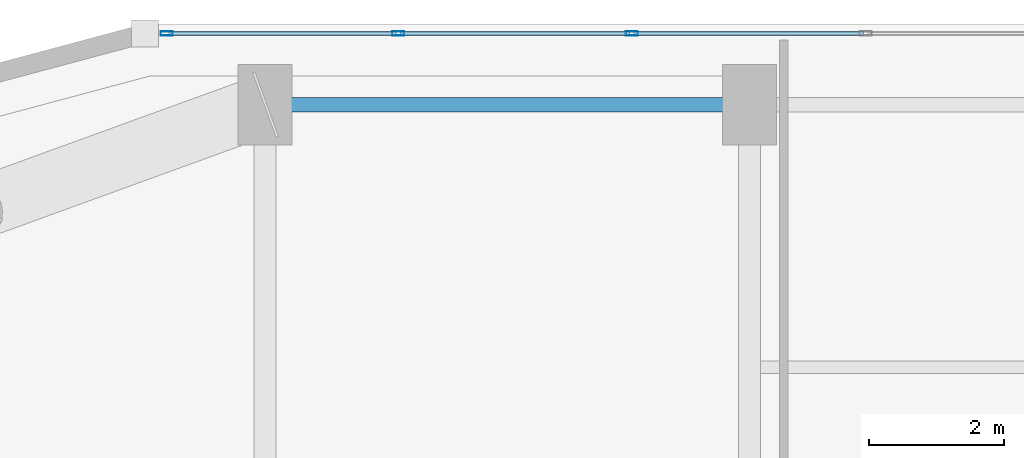
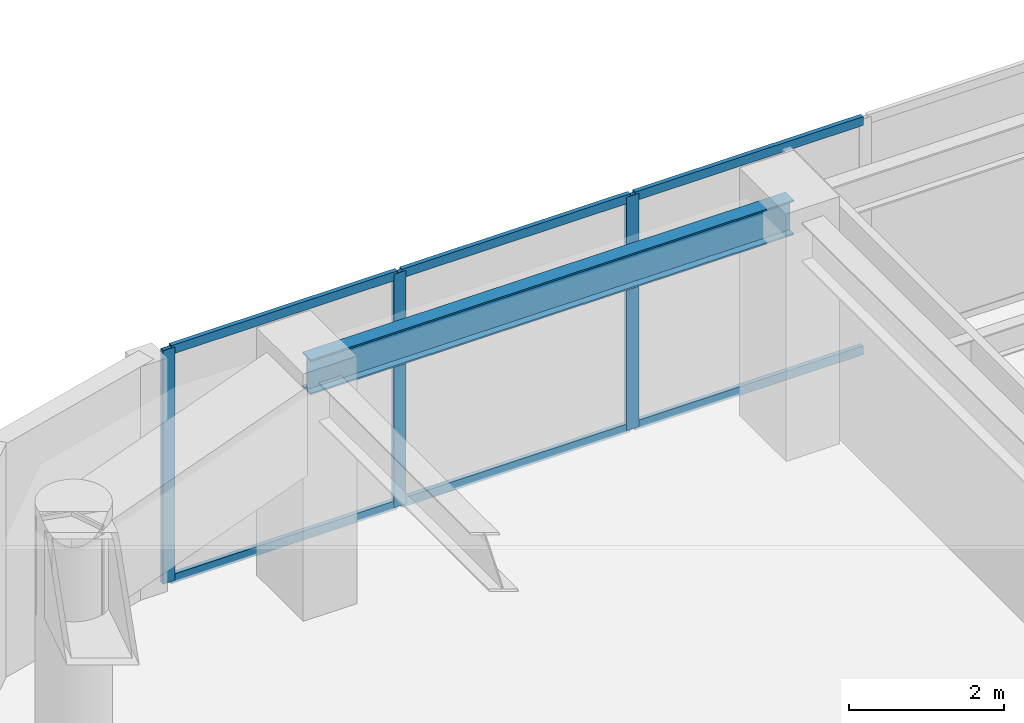
# One storey, part 17 of 30: 9 members, 1 beam, 1 element without a shape of its own.
"""IFC4 building model written with IfcOpenShell, lengths in metres."""

from ifc_helpers import new_model, si_unit, direction, frame, origin, origin_2d, place, context, subcontext, project, spatial, hollow_rectangle, i_section, extrude, material, layer, layer_set, material_profile, profile_set, type_object, element, aggregate, save


model = new_model("IFC4")

# Units and contexts
model_context = context("Model", 3, precision=1e-05, world=origin(), true_north=direction((0.0, 1.0)))
body_context = subcontext(model_context, "Body", "Model", "MODEL_VIEW")
ifc_project = project(units=[si_unit("LENGTHUNIT", "METRE"), si_unit("AREAUNIT", "SQUARE_METRE"), si_unit("VOLUMEUNIT", "CUBIC_METRE"), si_unit("PLANEANGLEUNIT", "RADIAN"), si_unit("MASSUNIT", "GRAM", prefix="KILO")], contexts=[model_context])

# Site, building, storey
site_placement = place(None, origin())
site = spatial("IfcSite", under=ifc_project, at=site_placement, CompositionType="ELEMENT")
building_placement = place(site_placement, origin())
building = spatial("IfcBuilding", under=site, at=building_placement, Name="Kiyonajd Concourse Tower", CompositionType="ELEMENT")
storey_placement = place(building_placement, frame((0.0, 0.0, 177.89990234375)))
storey = spatial("IfcBuildingStorey", under=building, at=storey_placement, Name="L45", CompositionType="ELEMENT", Elevation=177.89990234375)

# Beam
ifc_material_1 = material(Name="Steel ASTM A992 Grade 50", Category="steel")
ifc_material_profile_1 = material_profile(ifc_material_1, i_section(OverallWidth=0.214111328125, OverallDepth=0.549072265625, WebThickness=0.0146484375, FlangeThickness=0.023681640625, at=origin_2d()), Name="W530X138")
ifc_profile_set_1 = profile_set([ifc_material_profile_1], Name="Steel ASTM A992 Grade 50")
beam_type = type_object("IfcBeamType", Name="BM-SPAN-530A", PredefinedType="SPANDREL", material=ifc_profile_set_1)
beam_placement = place(storey_placement, frame((32.39990234375, 61.199951171875, 3.405517578125), z_axis=(-1.0, 0.0, 0.0), x_axis=(0.0, -1.0, 0.0)))
element("IfcBeam", 1, at=beam_placement, inside=storey, type_object=beam_type, Name="L45 Perimeter Bundled Tube Spandrel", PredefinedType="SPANDREL", context=body_context, shape_type="SweptSolid", body=[
    extrude(i_section(OverallWidth=0.214111328125, OverallDepth=0.549072265625, WebThickness=0.0146484375, FlangeThickness=0.023681640625, at=origin_2d()), origin(), (0.0, 0.0, 1.0), 7.199951171875),
])

# Curtain wall, members
ifc_material_2 = material(Name="Thermally Broken Anodised Aluminium", Category="aluminium")
ifc_layer = layer(ifc_material_2, 0.179931640625)
ifc_layer_set = layer_set([ifc_layer], Name="Thermally Broken Anodised Aluminium")
curtain_wall_type = type_object("IfcCurtainWallType", Name="CW-SYS-03", PredefinedType="NOTDEFINED", material=ifc_layer_set)
curtain_wall_placement = place(storey_placement, origin())
curtain_wall = element("IfcCurtainWall", 2, at=curtain_wall_placement, inside=storey, type_object=curtain_wall_type, Name="L45 Unitised Curtain Wall CW3", PredefinedType="NOTDEFINED")
ifc_material_profile_2 = material_profile(ifc_material_2, hollow_rectangle(XDim=0.06494140625, YDim=0.179931640625, WallThickness=0.00390625, at=origin_2d()), Name="MULL-65x180")
ifc_profile_set_2 = profile_set([ifc_material_profile_2], Name="Thermally Broken Anodised Aluminium")
member_type_1 = type_object("IfcMemberType", Name="MB-CW-MULL1", PredefinedType="MULLION", material=ifc_profile_set_2)
member_1_placement = place(storey_placement, frame((23.740966796875, 62.260009765625, 0.0), z_axis=(0.0, 0.0, 1.0), x_axis=(0.0, 1.0, 0.0)))
member_1 = element("IfcMember", 3, at=member_1_placement, type_object=member_type_1, Name="CW3 mullion 1", PredefinedType="MULLION", context=body_context, shape_type="SweptSolid", body=[
    extrude(hollow_rectangle(XDim=0.06494140625, YDim=0.179931640625, WallThickness=0.00390625, at=origin_2d()), origin(), (0.0, 0.0, 1.0), 3.68017578125),
])
member_2_placement = place(storey_placement, frame((27.180908203125, 62.260009765625, 0.0), z_axis=(0.0, 0.0, 1.0), x_axis=(0.0, 1.0, 0.0)))
member_2 = element("IfcMember", 4, at=member_2_placement, type_object=member_type_1, Name="CW3 mullion 2", PredefinedType="MULLION", context=body_context, shape_type="SweptSolid", body=[
    extrude(hollow_rectangle(XDim=0.06494140625, YDim=0.179931640625, WallThickness=0.00390625, at=origin_2d()), origin(), (0.0, 0.0, 1.0), 3.68017578125),
])
member_3_placement = place(storey_placement, frame((30.6533203125, 62.260009765625, 0.0), z_axis=(0.0, 0.0, 1.0), x_axis=(0.0, 1.0, 0.0)))
member_3 = element("IfcMember", 5, at=member_3_placement, type_object=member_type_1, Name="CW3 mullion 3", PredefinedType="MULLION", context=body_context, shape_type="SweptSolid", body=[
    extrude(hollow_rectangle(XDim=0.06494140625, YDim=0.179931640625, WallThickness=0.00390625, at=origin_2d()), origin(), (0.0, 0.0, 1.0), 3.68017578125),
])
ifc_material_profile_3 = material_profile(ifc_material_2, hollow_rectangle(XDim=0.06494140625, YDim=0.139892578125, WallThickness=0.00390625, at=origin_2d()), Name="TRAN-65x140")
ifc_profile_set_3 = profile_set([ifc_material_profile_3], Name="Thermally Broken Anodised Aluminium")
member_type_2 = type_object("IfcMemberType", Name="MB-CW-TRAN1", PredefinedType="USERDEFINED", material=ifc_profile_set_3)
member_4_placement = place(storey_placement, frame((23.7734375, 62.260009765625, 0.03271484375), z_axis=(1.0, 0.0, 0.0), x_axis=(0.0, 1.0, 0.0)))
member_4 = element("IfcMember", 6, at=member_4_placement, type_object=member_type_2, Name="CW3 transom 1.1", ObjectType="TRANSOM", PredefinedType="USERDEFINED", context=body_context, shape_type="SweptSolid", body=[
    extrude(hollow_rectangle(XDim=0.06494140625, YDim=0.139892578125, WallThickness=0.00390625, at=origin_2d()), origin(), (0.0, 0.0, 1.0), 3.374755859375),
])
member_5_placement = place(storey_placement, frame((23.7734375, 62.260009765625, 3.647705078125), z_axis=(1.0, 0.0, 0.0), x_axis=(0.0, 1.0, 0.0)))
member_5 = element("IfcMember", 7, at=member_5_placement, type_object=member_type_2, Name="CW3 transom 1.2", ObjectType="TRANSOM", PredefinedType="USERDEFINED", context=body_context, shape_type="SweptSolid", body=[
    extrude(hollow_rectangle(XDim=0.06494140625, YDim=0.139892578125, WallThickness=0.00390625, at=origin_2d()), origin(), (0.0, 0.0, 1.0), 3.374755859375),
])
member_6_placement = place(storey_placement, frame((27.21337890625, 62.260009765625, 0.03271484375), z_axis=(1.0, 0.0, 0.0), x_axis=(0.0, 1.0, 0.0)))
member_6 = element("IfcMember", 8, at=member_6_placement, type_object=member_type_2, Name="CW3 transom 2.1", ObjectType="TRANSOM", PredefinedType="USERDEFINED", context=body_context, shape_type="SweptSolid", body=[
    extrude(hollow_rectangle(XDim=0.06494140625, YDim=0.139892578125, WallThickness=0.00390625, at=origin_2d()), origin(), (0.0, 0.0, 1.0), 3.4072265625),
])
member_7_placement = place(storey_placement, frame((27.21337890625, 62.260009765625, 3.647705078125), z_axis=(1.0, 0.0, 0.0), x_axis=(0.0, 1.0, 0.0)))
member_7 = element("IfcMember", 9, at=member_7_placement, type_object=member_type_2, Name="CW3 transom 2.2", ObjectType="TRANSOM", PredefinedType="USERDEFINED", context=body_context, shape_type="SweptSolid", body=[
    extrude(hollow_rectangle(XDim=0.06494140625, YDim=0.139892578125, WallThickness=0.00390625, at=origin_2d()), origin(), (0.0, 0.0, 1.0), 3.4072265625),
])
member_8_placement = place(storey_placement, frame((30.685791015625, 62.260009765625, 0.03271484375), z_axis=(1.0, 0.0, 0.0), x_axis=(0.0, 1.0, 0.0)))
member_8 = element("IfcMember", 10, at=member_8_placement, type_object=member_type_2, Name="CW3 transom 3.1", ObjectType="TRANSOM", PredefinedType="USERDEFINED", context=body_context, shape_type="SweptSolid", body=[
    extrude(hollow_rectangle(XDim=0.06494140625, YDim=0.139892578125, WallThickness=0.00390625, at=origin_2d()), origin(), (0.0, 0.0, 1.0), 3.4072265625),
])
member_9_placement = place(storey_placement, frame((30.685791015625, 62.260009765625, 3.647705078125), z_axis=(1.0, 0.0, 0.0), x_axis=(0.0, 1.0, 0.0)))
member_9 = element("IfcMember", 11, at=member_9_placement, type_object=member_type_2, Name="CW3 transom 3.2", ObjectType="TRANSOM", PredefinedType="USERDEFINED", context=body_context, shape_type="SweptSolid", body=[
    extrude(hollow_rectangle(XDim=0.06494140625, YDim=0.139892578125, WallThickness=0.00390625, at=origin_2d()), origin(), (0.0, 0.0, 1.0), 3.4072265625),
])
aggregate(curtain_wall, [member_1, member_2, member_3, member_4, member_5, member_6, member_7, member_8, member_9])

save(model, "model.ifc")
